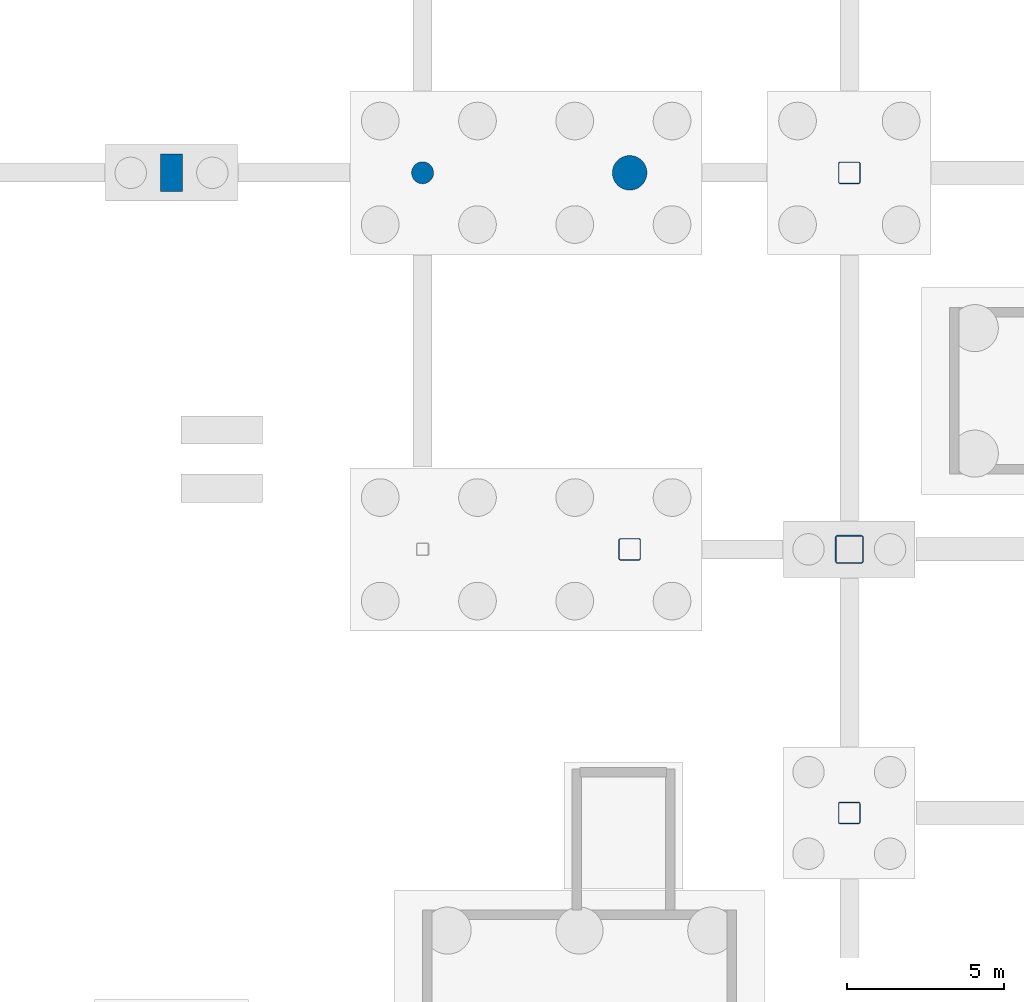
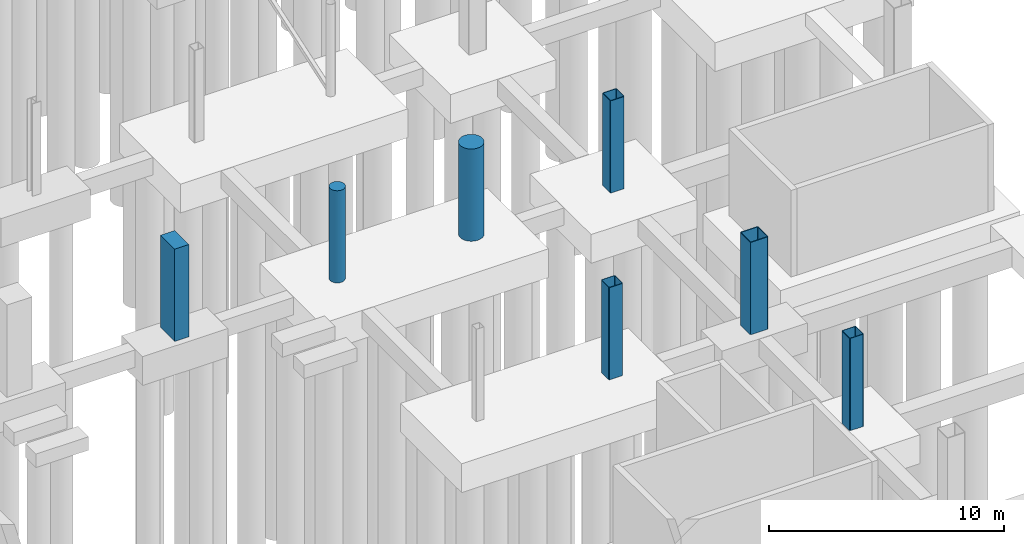
# One storey, part 12 of 34: 7 columns.
"""IFC4 building model written with IfcOpenShell, lengths in metres."""

import ifcopenshell
import ifcopenshell.guid

model = None  # the IFC model being written
_history = None  # IfcOwnerHistory: only IFC2X3 demands one
_inside = {}  # id of a spatial element -> (the spatial element, [elements in it])
_under = {}  # id of a project, library or spatial element -> (it, [spatial elements below it])
_declared = {}  # id of a project -> (the project, [libraries it declares])
_typed = {}  # id of a type object -> (the type object, [elements of that type])
_made_of = {}  # id of a material, layer set ... -> (it, [elements and type objects made of it])


def new_model(schema):
    """Start an empty IFC model of exactly this schema.

    Asked for "IFC4X3", IfcOpenShell would pick the latest addendum, in which some entities
    have other attributes; the version numbers below select the first issue.
    IFC2X3 requires an IfcOwnerHistory on every rooted entity: one is made here for all.
    """
    global model, _history
    if schema == "IFC4X3":
        model = ifcopenshell.file(schema_version=(4, 3, 0, 0))
    else:
        model = ifcopenshell.file(schema=schema)
    _inside.clear()
    _under.clear()
    _declared.clear()
    _typed.clear()
    _made_of.clear()
    _history = None
    if model.schema == "IFC2X3":
        org = make("IfcOrganization", Name="unknown")
        user = make(
            "IfcPersonAndOrganization",
            ThePerson=make("IfcPerson", FamilyName="unknown"),
            TheOrganization=org,
        )
        app = make(
            "IfcApplication",
            ApplicationDeveloper=org,
            Version="unknown",
            ApplicationFullName="unknown",
            ApplicationIdentifier="unknown",
        )
        _history = make(
            "IfcOwnerHistory",
            OwningUser=user,
            OwningApplication=app,
            ChangeAction="ADDED",
            CreationDate=0,
        )
    return model


def make(cls, **values):
    """One entity of the class cls with the attributes given. An attribute that is None is left unset."""
    return model.create_entity(
        cls, **{name: value for name, value in values.items() if value is not None}
    )


def rooted(cls, **values):
    """An entity with a GlobalId (a new one), such as an element, a storey or a relation."""
    return make(cls, GlobalId=ifcopenshell.guid.new(), OwnerHistory=_history, **values)


def si_unit(unit_type, name, prefix=None):
    """IfcSIUnit, for example si_unit("LENGTHUNIT", "METRE", prefix="MILLI")."""
    return make("IfcSIUnit", UnitType=unit_type, Prefix=prefix, Name=name)


def assignment(units):
    """IfcUnitAssignment: the units of a project."""
    return None if units is None else make("IfcUnitAssignment", Units=units)


def point(xyz):
    """IfcCartesianPoint."""
    return None if xyz is None else make("IfcCartesianPoint", Coordinates=xyz)


def direction(xyz):
    """IfcDirection."""
    return None if xyz is None else make("IfcDirection", DirectionRatios=xyz)


def frame(location, z_axis=None, x_axis=None):
    """IfcAxis2Placement3D, a coordinate frame: its origin and axes. An axis left out is left unset."""
    return make(
        "IfcAxis2Placement3D",
        Location=point(location),
        Axis=direction(z_axis),
        RefDirection=direction(x_axis),
    )


def frame_2d(location, x_axis=None):
    """IfcAxis2Placement2D, a coordinate frame in the plane: its origin and x axis."""
    return make(
        "IfcAxis2Placement2D", Location=point(location), RefDirection=direction(x_axis)
    )


def origin():
    """The frame at (0, 0, 0) with its axes left unset."""
    return frame((0.0, 0.0, 0.0))


def origin_2d():
    """The frame at (0, 0) in the plane with its x axis left unset."""
    return frame_2d((0.0, 0.0))


def place(relative_to, where):
    """IfcLocalPlacement: puts the frame where relative to a parent placement (None: the world)."""
    return make(
        "IfcLocalPlacement", PlacementRelTo=relative_to, RelativePlacement=where
    )


def context(
    kind, dimensions, precision=None, world=None, true_north=None, identifier=None
):
    """IfcGeometricRepresentationContext, for example the 3D "Model" context."""
    return make(
        "IfcGeometricRepresentationContext",
        ContextIdentifier=identifier,
        ContextType=kind,
        CoordinateSpaceDimension=dimensions,
        Precision=precision,
        WorldCoordinateSystem=world,
        TrueNorth=true_north,
    )


def subcontext(parent, identifier, kind, view, scale=None):
    """IfcGeometricRepresentationSubContext, for example "Body" below "Model"."""
    return make(
        "IfcGeometricRepresentationSubContext",
        ContextIdentifier=identifier,
        ContextType=kind,
        ParentContext=parent,
        TargetScale=scale,
        TargetView=view,
    )


def project(units=None, contexts=None):
    """IfcProject with its units and contexts."""
    return rooted(
        "IfcProject",
        Name="project",
        RepresentationContexts=contexts,
        UnitsInContext=assignment(units),
    )


def spatial(cls, under=None, at=None, **own):
    """A site, building, storey or space (cls), placed at a placement, below another one or the project."""
    s = rooted(cls, ObjectPlacement=at, **own)
    if under is not None:
        _under.setdefault(under.id(), (under, []))[1].append(s)
    return s


def profile(cls, at=None, kind="AREA", **sizes):
    """A parametric profile (cls). Its sizes go by their IFC names, for example OverallWidth=200.0."""
    return make(cls, ProfileType=kind, Position=at, **sizes)


def rectangle(**sizes):
    """IfcRectangleProfileDef."""
    return profile("IfcRectangleProfileDef", **sizes)


def hollow_rectangle(**sizes):
    """IfcRectangleHollowProfileDef."""
    return profile("IfcRectangleHollowProfileDef", **sizes)


def circle(**sizes):
    """IfcCircleProfileDef."""
    return profile("IfcCircleProfileDef", **sizes)


def extrude(swept, where, along, depth):
    """IfcExtrudedAreaSolid: the profile swept, set in the frame where, extruded along a direction by depth."""
    return make(
        "IfcExtrudedAreaSolid",
        SweptArea=swept,
        Position=where,
        ExtrudedDirection=direction(along),
        Depth=depth,
    )


def shape(context_of_items, identifier, shape_type, items):
    """IfcShapeRepresentation: the items that make up one representation, for example the "Body"."""
    return make(
        "IfcShapeRepresentation",
        ContextOfItems=context_of_items,
        RepresentationIdentifier=identifier,
        RepresentationType=shape_type,
        Items=items,
    )


def material(Name=None, Category=None):
    """IfcMaterial."""
    return make("IfcMaterial", Name=Name, Category=Category)


def material_profile(
    of_material, cross_section, Name=None, Category=None, Priority=None
):
    """IfcMaterialProfile: a cross section and its material."""
    return make(
        "IfcMaterialProfile",
        Name=Name,
        Material=of_material,
        Profile=cross_section,
        Priority=Priority,
        Category=Category,
    )


def profile_set(profiles, Name=None, composite=None):
    """IfcMaterialProfileSet."""
    return make(
        "IfcMaterialProfileSet",
        Name=Name,
        MaterialProfiles=profiles,
        CompositeProfile=composite,
    )


def made_of(thing, what):
    """Note that an element or type object is made of a material, layer set ...; save() writes the relation."""
    if what is not None:
        _made_of.setdefault(what.id(), (what, []))[1].append(thing)
    return thing


def type_object(cls, material=None, **own):
    """A type object (cls), such as IfcWallType, which elements share."""
    return made_of(rooted(cls, **own), material)


def element(
    cls,
    number,
    at=None,
    inside=None,
    cuts=None,
    type_object=None,
    material=None,
    context=None,
    identifier="Body",
    shape_type=None,
    held_by="IfcProductDefinitionShape",
    body=None,
    shapes=None,
    **own,
):
    """One element of the class cls, such as IfcWall. Its Tag is "e" and its number.

    at: its placement. inside: the storey or other place that contains it. cuts: it is an
    opening in that element (IfcRelVoidsElement). A single representation is given by context,
    identifier, shape_type and body (its items); several are given by shapes. held_by: the class
    of the entity that holds the representations. save() writes the other relations.
    """
    e = rooted(cls, Tag="e%d" % number, ObjectPlacement=at, **own)
    if body is not None:
        shapes = [shape(context, identifier, shape_type, body)]
    if shapes is not None:
        e.Representation = make(held_by, Representations=shapes)
    if inside is not None:
        _inside.setdefault(inside.id(), (inside, []))[1].append(e)
    if cuts is not None:
        rooted(
            "IfcRelVoidsElement", RelatingBuildingElement=cuts, RelatedOpeningElement=e
        )
    if type_object is not None:
        _typed.setdefault(type_object.id(), (type_object, []))[1].append(e)
    return made_of(e, material)


def aggregate(whole, parts):
    """IfcRelAggregates: a whole, such as a stair, and the parts it consists of."""
    return rooted("IfcRelAggregates", RelatingObject=whole, RelatedObjects=parts)


def save(model, path):
    """Write the relations noted so far, then the file.

    IfcRelAggregates (storeys below a building ...), IfcRelContainedInSpatialStructure (elements
    in a storey), IfcRelDefinesByType, IfcRelAssociatesMaterial and IfcRelDeclares: one each for
    every whole, place, type object, material and project.
    """
    for whole, parts in _under.values():
        aggregate(whole, parts)
    for where, things in _inside.values():
        rooted(
            "IfcRelContainedInSpatialStructure",
            RelatedElements=things,
            RelatingStructure=where,
        )
    for kind, things in _typed.values():
        rooted("IfcRelDefinesByType", RelatedObjects=things, RelatingType=kind)
    for what, things in _made_of.values():
        rooted("IfcRelAssociatesMaterial", RelatedObjects=things, RelatingMaterial=what)
    for by, libraries in _declared.values():
        rooted("IfcRelDeclares", RelatingContext=by, RelatedDefinitions=libraries)
    model.write(path)


model = new_model("IFC4")

# Units and contexts
model_context = context("Model", 3, precision=1e-05, world=origin(), true_north=direction((0.0, 1.0)))
body_context = subcontext(model_context, "Body", "Model", "MODEL_VIEW")
ifc_project = project(units=[si_unit("LENGTHUNIT", "METRE"), si_unit("AREAUNIT", "SQUARE_METRE"), si_unit("VOLUMEUNIT", "CUBIC_METRE"), si_unit("PLANEANGLEUNIT", "RADIAN"), si_unit("MASSUNIT", "GRAM", prefix="KILO")], contexts=[model_context])

# Site, building, storey
site_placement = place(None, origin())
site = spatial("IfcSite", under=ifc_project, at=site_placement, CompositionType="ELEMENT")
building_placement = place(site_placement, origin())
building = spatial("IfcBuilding", under=site, at=building_placement, Name="Larkvane Passage Sports Hall", CompositionType="ELEMENT")
storey_placement = place(building_placement, frame((0.0, 0.0, -4.800048828125)))
storey = spatial("IfcBuildingStorey", under=building, at=storey_placement, Name="B01", CompositionType="ELEMENT", Elevation=-4.800048828125)

# Columns
ifc_material_1 = material(Name="Concrete C50/60", Category="concrete")
ifc_material_profile_1 = material_profile(ifc_material_1, circle(Radius=0.550048828125, at=origin_2d()), Name="RC-CIR-1100")
ifc_profile_set_1 = profile_set([ifc_material_profile_1], Name="Concrete C50/60")
column_type_1 = type_object("IfcColumnType", Name="COL-CIR-1100", PredefinedType="COLUMN", material=ifc_profile_set_1)
column_1_placement = place(storey_placement, frame((124.60009765625, 51.60009765625, 0.0), z_axis=(0.0, 0.0, 1.0), x_axis=(1.0, 0.0, 0.0)))
element("IfcColumn", 1, at=column_1_placement, inside=storey, type_object=column_type_1, Name="Column 17/G B01", PredefinedType="COLUMN", context=body_context, shape_type="SweptSolid", body=[
    extrude(circle(Radius=0.550048828125, at=origin_2d()), origin(), (0.0, 0.0, 1.0), 4.800048828125),
])
ifc_material_2 = material(Name="Concrete C40/50", Category="concrete")
ifc_material_profile_2 = material_profile(ifc_material_2, circle(Radius=0.35009765625, at=origin_2d()), Name="RC-CIR-700")
ifc_profile_set_2 = profile_set([ifc_material_profile_2], Name="Concrete C40/50")
column_type_2 = type_object("IfcColumnType", Name="COL-CIR-700", PredefinedType="COLUMN", material=ifc_profile_set_2)
column_2_placement = place(storey_placement, frame((118.0, 51.60009765625, 0.0), z_axis=(0.0, 0.0, 1.0), x_axis=(1.0, 0.0, 0.0)))
element("IfcColumn", 2, at=column_2_placement, inside=storey, type_object=column_type_2, Name="Column 16/G B01", PredefinedType="COLUMN", context=body_context, shape_type="SweptSolid", body=[
    extrude(circle(Radius=0.35009765625, at=origin_2d()), origin(), (0.0, 0.0, 1.0), 4.800048828125),
])
ifc_material_profile_3 = material_profile(ifc_material_1, rectangle(XDim=0.699951171875, YDim=1.199951171875, at=origin_2d()), Name="RC-COL-700x1200")
ifc_profile_set_3 = profile_set([ifc_material_profile_3], Name="Concrete C50/60")
column_type_3 = type_object("IfcColumnType", Name="COL-RC-700x1200", PredefinedType="COLUMN", material=ifc_profile_set_3)
column_3_placement = place(storey_placement, frame((110.0, 51.60009765625, 0.0), z_axis=(0.0, 0.0, 1.0), x_axis=(1.0, 0.0, 0.0)))
element("IfcColumn", 3, at=column_3_placement, inside=storey, type_object=column_type_3, Name="Column 15/G B01", PredefinedType="COLUMN", context=body_context, shape_type="SweptSolid", body=[
    extrude(rectangle(XDim=0.699951171875, YDim=1.199951171875, at=origin_2d()), origin(), (0.0, 0.0, 1.0), 4.800048828125),
])
ifc_material_3 = material(Name="Steel S460N", Category="steel")
ifc_material_profile_4 = material_profile(ifc_material_3, hollow_rectangle(XDim=0.699951171875, YDim=0.699951171875, WallThickness=0.028076171875, InnerFilletRadius=0.028076171875, OuterFilletRadius=0.055908203125, at=origin_2d()), Name="BOX-700x700x28")
ifc_profile_set_4 = profile_set([ifc_material_profile_4], Name="Steel S460N")
column_type_4 = type_object("IfcColumnType", Name="COL-STL-BOX700", PredefinedType="COLUMN", material=ifc_profile_set_4)
for number, where, z_axis, x_axis, name in (
    (4, (124.60009765625, 39.60009765625, 0.0), (0.0, 0.0, 1.0), (1.0, 0.0, 0.0), "Column 17/F B01"),
    (5, (131.60009765625, 31.199951171875, 0.0), (0.0, 0.0, 1.0), (1.0, 0.0, 0.0), "Column 18/E B01"),
    (6, (131.60009765625, 51.60009765625, 0.0), (0.0, 0.0, 1.0), (1.0, 0.0, 0.0), "Column 18/G B01"),
):
    element("IfcColumn", number, at=place(storey_placement, frame(where, z_axis=z_axis, x_axis=x_axis)), inside=storey, type_object=column_type_4, Name=name, PredefinedType="COLUMN", context=body_context, shape_type="SweptSolid", body=[
        extrude(hollow_rectangle(XDim=0.699951171875, YDim=0.699951171875, WallThickness=0.028076171875, InnerFilletRadius=0.028076171875, OuterFilletRadius=0.055908203125, at=origin_2d()), origin(), (0.0, 0.0, 1.0), 4.800048828125),
    ])
ifc_material_profile_5 = material_profile(ifc_material_3, hollow_rectangle(XDim=0.89990234375, YDim=0.89990234375, WallThickness=0.035888671875, InnerFilletRadius=0.035888671875, OuterFilletRadius=0.072021484375, at=origin_2d()), Name="BOX-900x900x36")
ifc_profile_set_5 = profile_set([ifc_material_profile_5], Name="Steel S460N")
column_type_5 = type_object("IfcColumnType", Name="COL-STL-BOX900", PredefinedType="COLUMN", material=ifc_profile_set_5)
column_4_placement = place(storey_placement, frame((131.60009765625, 39.60009765625, 0.0), z_axis=(0.0, 0.0, 1.0), x_axis=(1.0, 0.0, 0.0)))
element("IfcColumn", 7, at=column_4_placement, inside=storey, type_object=column_type_5, Name="Column 18/F B01", PredefinedType="COLUMN", context=body_context, shape_type="SweptSolid", body=[
    extrude(hollow_rectangle(XDim=0.89990234375, YDim=0.89990234375, WallThickness=0.035888671875, InnerFilletRadius=0.035888671875, OuterFilletRadius=0.072021484375, at=origin_2d()), origin(), (0.0, 0.0, 1.0), 4.800048828125),
])

save(model, "model.ifc")
